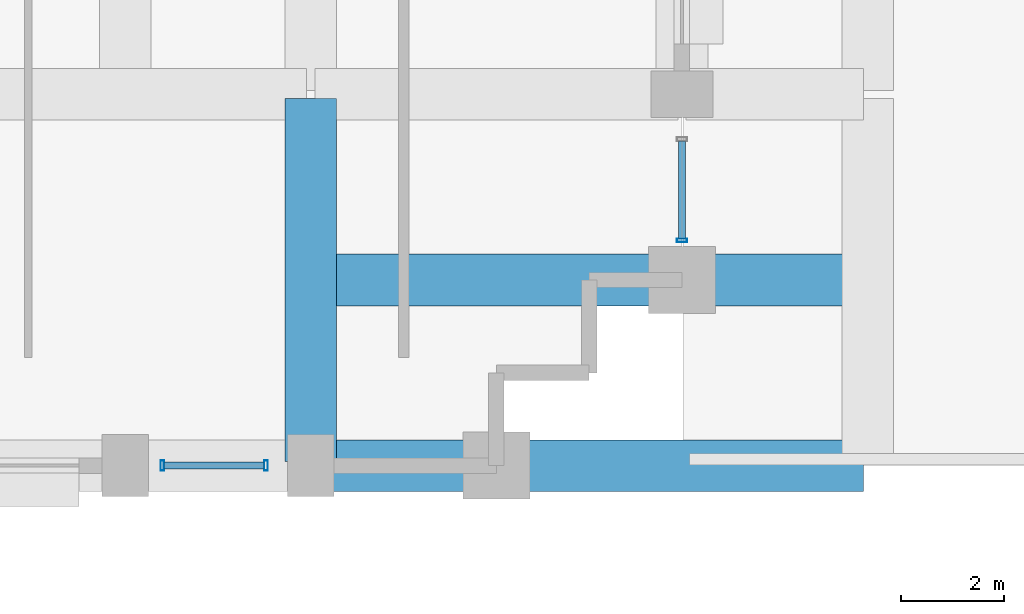
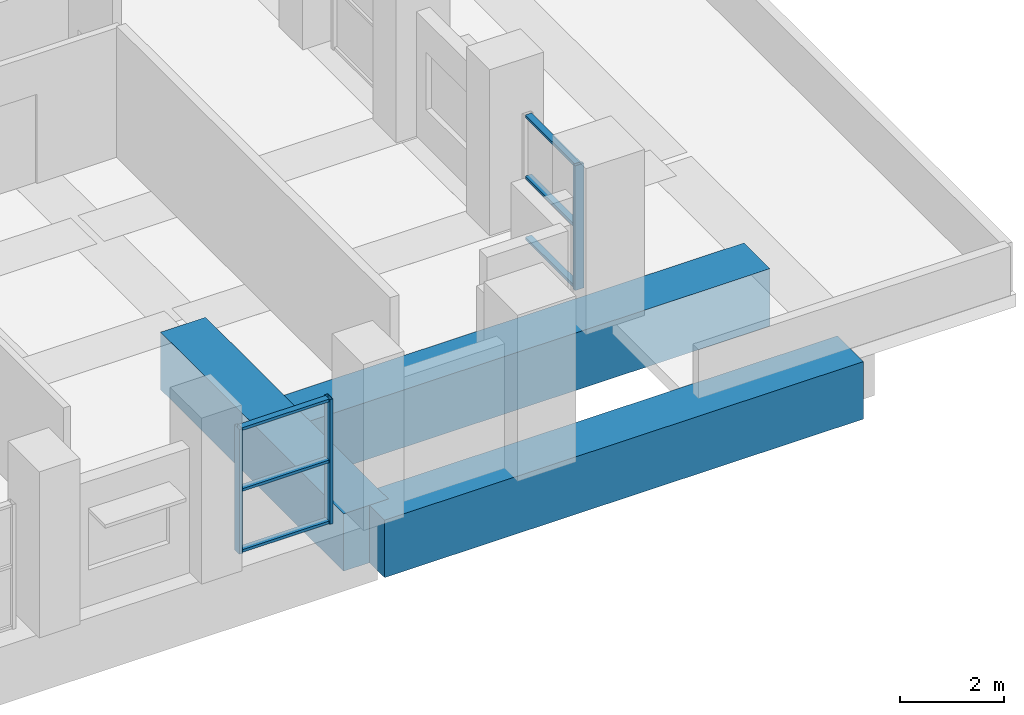
# One storey, part 13 of 39: 9 members, 3 beams, 2 elements without a shape of their own.
"""IFC4 building model written with IfcOpenShell, lengths in metres."""

from ifc_helpers import new_model, si_unit, direction, frame, origin, origin_2d, place, context, subcontext, project, spatial, rectangle, hollow_rectangle, extrude, material, layer, layer_set, material_profile, profile_set, type_object, element, aggregate, save


model = new_model("IFC4")

# Units and contexts
model_context = context("Model", 3, precision=1e-05, world=origin(), true_north=direction((0.0, 1.0)))
body_context = subcontext(model_context, "Body", "Model", "MODEL_VIEW")
ifc_project = project(units=[si_unit("LENGTHUNIT", "METRE"), si_unit("AREAUNIT", "SQUARE_METRE"), si_unit("VOLUMEUNIT", "CUBIC_METRE"), si_unit("PLANEANGLEUNIT", "RADIAN"), si_unit("MASSUNIT", "GRAM", prefix="KILO")], contexts=[model_context])

# Site, building, storey
site_placement = place(None, origin())
site = spatial("IfcSite", under=ifc_project, at=site_placement, CompositionType="ELEMENT")
building_placement = place(site_placement, origin())
building = spatial("IfcBuilding", under=site, at=building_placement, Name="Solnavia Interchange Tower", CompositionType="ELEMENT")
storey_placement = place(building_placement, frame((0.0, 0.0, 24.0)))
storey = spatial("IfcBuildingStorey", under=building, at=storey_placement, Name="L05", CompositionType="ELEMENT", Elevation=24.0)

# Beams
ifc_material_1 = material(Name="Concrete C60/75", Category="concrete")
ifc_material_profile_1 = material_profile(ifc_material_1, rectangle(XDim=1.0, YDim=1.35009765625, at=origin_2d()), Name="RC 1000x1350")
ifc_profile_set_1 = profile_set([ifc_material_profile_1], Name="Concrete C60/75")
beam_type = type_object("IfcBeamType", Name="Beam-Transfer-RC1000x1350", PredefinedType="BEAM", material=ifc_profile_set_1)
beam_1_placement = place(storey_placement, frame((54.080078125, 3.60009765625, -0.675048828125), z_axis=(1.0, 0.0, 0.0), x_axis=(0.0, 1.0, 0.0)))
element("IfcBeam", 1, at=beam_1_placement, inside=storey, type_object=beam_type, Name="TRB-L05-06 South primary transfer girder", PredefinedType="BEAM", context=body_context, shape_type="SweptSolid", body=[
    extrude(rectangle(XDim=1.0, YDim=1.35009765625, at=origin_2d()), origin(), (0.0, 0.0, 1.0), 10.639892578125),
])
beam_2_placement = place(storey_placement, frame((54.0, 3.679931640625, -0.675048828125), z_axis=(0.0, 1.0, 0.0), x_axis=(-1.0, 0.0, 0.0)))
element("IfcBeam", 2, at=beam_2_placement, inside=storey, type_object=beam_type, Name="TRB-L05-49 East N-S primary transfer girder", PredefinedType="BEAM", context=body_context, shape_type="SweptSolid", body=[
    extrude(rectangle(XDim=1.0, YDim=1.35009765625, at=origin_2d()), origin(), (0.0, 0.0, 1.0), 7.0400390625),
])
beam_3_placement = place(storey_placement, frame((54.080078125, 7.199951171875, -0.675048828125), z_axis=(1.0, 0.0, 0.0), x_axis=(0.0, 1.0, 0.0)))
element("IfcBeam", 3, at=beam_3_placement, inside=storey, type_object=beam_type, Name="TRB-L05-73 South-east corner transfer girder", PredefinedType="BEAM", context=body_context, shape_type="SweptSolid", body=[
    extrude(rectangle(XDim=1.0, YDim=1.35009765625, at=origin_2d()), origin(), (0.0, 0.0, 1.0), 10.639892578125),
])

# Curtain wall, members
ifc_material_2 = material(Name="Aluminium Alloy 6063-T6", Category="aluminium")
ifc_layer = layer(ifc_material_2, 0.219970703125)
ifc_layer_set = layer_set([ifc_layer], Name="Aluminium Alloy 6063-T6")
curtain_wall_type = type_object("IfcCurtainWallType", Name="CurtainWall-Tower-CTW3", PredefinedType="NOTDEFINED", material=ifc_layer_set)
curtain_wall_1_placement = place(storey_placement, origin())
curtain_wall_1 = element("IfcCurtainWall", 4, at=curtain_wall_1_placement, inside=storey, type_object=curtain_wall_type, Name="CTW-L05-S10 CTW-3 curtain wall", PredefinedType="NOTDEFINED")
ifc_material_profile_2 = material_profile(ifc_material_2, hollow_rectangle(XDim=0.070068359375, YDim=0.199951171875, WallThickness=0.0048828125, at=origin_2d()), Name="ALU 200x70x5")
ifc_profile_set_2 = profile_set([ifc_material_profile_2], Name="Aluminium Alloy 6063-T6")
member_type_1 = type_object("IfcMemberType", Name="CW-Mullion-CWM-3", PredefinedType="MULLION", material=ifc_profile_set_2)
member_1_placement = place(storey_placement, frame((51.1201171875, 3.60009765625, 0.0), z_axis=(0.0, 0.0, 1.0), x_axis=(1.0, 0.0, 0.0)))
member_1 = element("IfcMember", 5, at=member_1_placement, type_object=member_type_1, Name="CTW-3 mullion 1", PredefinedType="MULLION", context=body_context, shape_type="SweptSolid", body=[
    extrude(hollow_rectangle(XDim=0.070068359375, YDim=0.199951171875, WallThickness=0.0048828125, at=origin_2d()), origin(), (0.0, 0.0, 1.0), 2.929931640625),
])
member_2_placement = place(storey_placement, frame((53.1298828125, 3.60009765625, 0.0), z_axis=(0.0, 0.0, 1.0), x_axis=(1.0, 0.0, 0.0)))
member_2 = element("IfcMember", 6, at=member_2_placement, type_object=member_type_1, Name="CTW-3 mullion 2", PredefinedType="MULLION", context=body_context, shape_type="SweptSolid", body=[
    extrude(hollow_rectangle(XDim=0.070068359375, YDim=0.199951171875, WallThickness=0.0048828125, at=origin_2d()), origin(), (0.0, 0.0, 1.0), 2.929931640625),
])

# Curtain wall, member
curtain_wall_2_placement = place(storey_placement, origin())
curtain_wall_2 = element("IfcCurtainWall", 7, at=curtain_wall_2_placement, inside=storey, type_object=curtain_wall_type, Name="CTW-L05-S16 CTW-3 curtain wall", PredefinedType="NOTDEFINED")
member_3_placement = place(storey_placement, frame((61.199951171875, 7.969970703125, 0.0), z_axis=(0.0, 0.0, 1.0), x_axis=(0.0, 1.0, 0.0)))
member_3 = element("IfcMember", 8, at=member_3_placement, type_object=member_type_1, Name="CTW-3 mullion 1", PredefinedType="MULLION", context=body_context, shape_type="SweptSolid", body=[
    extrude(hollow_rectangle(XDim=0.070068359375, YDim=0.199951171875, WallThickness=0.0048828125, at=origin_2d()), origin(), (0.0, 0.0, 1.0), 2.929931640625),
])

# Member
ifc_material_profile_3 = material_profile(ifc_material_2, hollow_rectangle(XDim=0.06494140625, YDim=0.139892578125, WallThickness=0.00390625, at=origin_2d()), Name="ALU 140x65x4")
ifc_profile_set_3 = profile_set([ifc_material_profile_3], Name="Aluminium Alloy 6063-T6")
member_type_2 = type_object("IfcMemberType", Name="CW-Transom-CWT-3", PredefinedType="USERDEFINED", material=ifc_profile_set_3)
member_4_placement = place(storey_placement, frame((51.155029296875, 3.60009765625, 0.032470703125), z_axis=(1.0, 0.0, 0.0), x_axis=(0.0, 0.0, 1.0)))
member_4 = element("IfcMember", 9, at=member_4_placement, type_object=member_type_2, Name="CTW-3 transom 1.1", ObjectType="TRANSOM", PredefinedType="USERDEFINED", context=body_context, shape_type="SweptSolid", body=[
    extrude(hollow_rectangle(XDim=0.06494140625, YDim=0.139892578125, WallThickness=0.00390625, at=origin_2d()), origin(), (0.0, 0.0, 1.0), 1.93994140625),
])

member_5_placement = place(storey_placement, frame((51.155029296875, 3.60009765625, 1.465087890625), z_axis=(1.0, 0.0, 0.0), x_axis=(0.0, 0.0, 1.0)))
member_5 = element("IfcMember", 10, at=member_5_placement, type_object=member_type_2, Name="CTW-3 transom 1.2", ObjectType="TRANSOM", PredefinedType="USERDEFINED", context=body_context, shape_type="SweptSolid", body=[
    extrude(hollow_rectangle(XDim=0.06494140625, YDim=0.139892578125, WallThickness=0.00390625, at=origin_2d()), origin(), (0.0, 0.0, 1.0), 1.93994140625),
])

member_6_placement = place(storey_placement, frame((51.155029296875, 3.60009765625, 2.8974609375), z_axis=(1.0, 0.0, 0.0), x_axis=(0.0, 0.0, 1.0)))
member_6 = element("IfcMember", 11, at=member_6_placement, type_object=member_type_2, Name="CTW-3 transom 1.3", ObjectType="TRANSOM", PredefinedType="USERDEFINED", context=body_context, shape_type="SweptSolid", body=[
    extrude(hollow_rectangle(XDim=0.06494140625, YDim=0.139892578125, WallThickness=0.00390625, at=origin_2d()), origin(), (0.0, 0.0, 1.0), 1.93994140625),
])

aggregate(curtain_wall_1, [member_1, member_2, member_4, member_5, member_6])

member_7_placement = place(storey_placement, frame((61.199951171875, 8.0048828125, 0.032470703125), z_axis=(0.0, 1.0, 0.0), x_axis=(0.0, 0.0, 1.0)))
member_7 = element("IfcMember", 12, at=member_7_placement, type_object=member_type_2, Name="CTW-3 transom 1.1", ObjectType="TRANSOM", PredefinedType="USERDEFINED", context=body_context, shape_type="SweptSolid", body=[
    extrude(hollow_rectangle(XDim=0.06494140625, YDim=0.139892578125, WallThickness=0.00390625, at=origin_2d()), origin(), (0.0, 0.0, 1.0), 1.89013671875),
])

member_8_placement = place(storey_placement, frame((61.199951171875, 8.0048828125, 1.465087890625), z_axis=(0.0, 1.0, 0.0), x_axis=(0.0, 0.0, 1.0)))
member_8 = element("IfcMember", 13, at=member_8_placement, type_object=member_type_2, Name="CTW-3 transom 1.2", ObjectType="TRANSOM", PredefinedType="USERDEFINED", context=body_context, shape_type="SweptSolid", body=[
    extrude(hollow_rectangle(XDim=0.06494140625, YDim=0.139892578125, WallThickness=0.00390625, at=origin_2d()), origin(), (0.0, 0.0, 1.0), 1.89013671875),
])

member_9_placement = place(storey_placement, frame((61.199951171875, 8.0048828125, 2.8974609375), z_axis=(0.0, 1.0, 0.0), x_axis=(0.0, 0.0, 1.0)))
member_9 = element("IfcMember", 14, at=member_9_placement, type_object=member_type_2, Name="CTW-3 transom 1.3", ObjectType="TRANSOM", PredefinedType="USERDEFINED", context=body_context, shape_type="SweptSolid", body=[
    extrude(hollow_rectangle(XDim=0.06494140625, YDim=0.139892578125, WallThickness=0.00390625, at=origin_2d()), origin(), (0.0, 0.0, 1.0), 1.89013671875),
])

aggregate(curtain_wall_2, [member_3, member_7, member_8, member_9])

save(model, "model.ifc")
